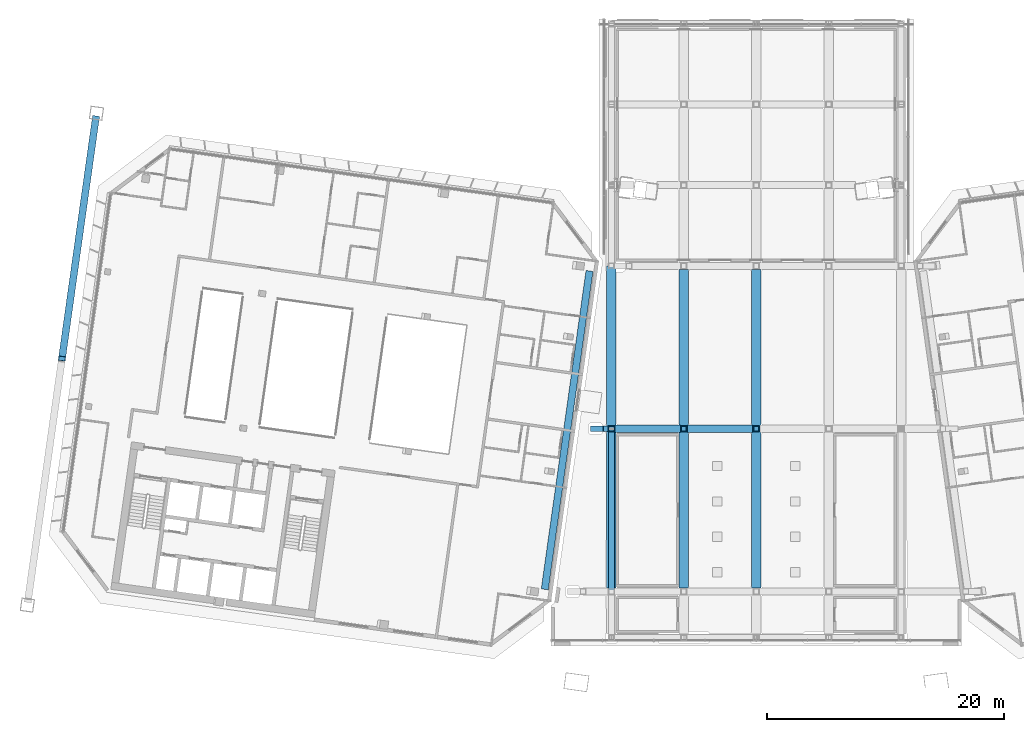
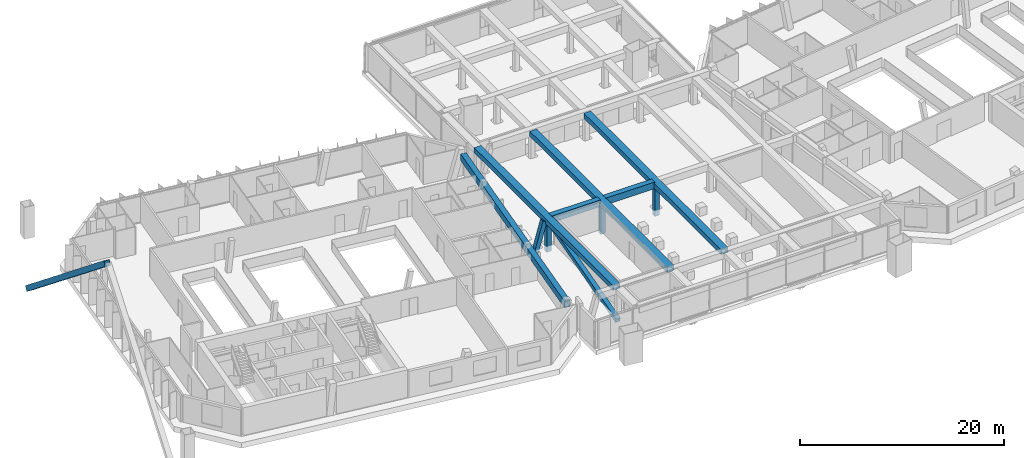
# One storey, part 4 of 28: 11 members, 1 beam.
"""IFC4 building model written with IfcOpenShell, lengths in metres."""

from ifc_helpers import new_model, si_unit, direction, frame, origin, origin_2d, place, context, subcontext, project, spatial, hollow_rectangle, extrude, material, material_profile, profile_set, type_object, element, save


model = new_model("IFC4")

# Units and contexts
model_context = context("Model", 3, precision=1e-05, world=origin(), true_north=direction((0.0, 1.0)))
body_context = subcontext(model_context, "Body", "Model", "MODEL_VIEW")
ifc_project = project(units=[si_unit("LENGTHUNIT", "METRE"), si_unit("AREAUNIT", "SQUARE_METRE"), si_unit("VOLUMEUNIT", "CUBIC_METRE"), si_unit("PLANEANGLEUNIT", "RADIAN"), si_unit("MASSUNIT", "GRAM", prefix="KILO")], contexts=[model_context])

# Site, building, storey
site_placement = place(None, origin())
site = spatial("IfcSite", under=ifc_project, at=site_placement, CompositionType="ELEMENT")
building_placement = place(site_placement, origin())
building = spatial("IfcBuilding", under=site, at=building_placement, Name="Mirante Cascada Hotel Towers", CompositionType="ELEMENT")
storey_placement = place(building_placement, frame((0.0, 0.0, 262.2)))
storey = spatial("IfcBuildingStorey", under=building, at=storey_placement, Name="L63", CompositionType="ELEMENT", Elevation=262.2)

# Beam
ifc_material_1 = material(Name="Steel ASTM A572 Gr 50", Category="steel")
ifc_material_profile_1 = material_profile(ifc_material_1, hollow_rectangle(XDim=0.6, YDim=0.8, WallThickness=0.04, at=origin_2d()), Name="Box beam 800x600x40 ASTM A572 Gr 50")
ifc_profile_set_1 = profile_set([ifc_material_profile_1], Name="Steel ASTM A572 Gr 50")
beam_type = type_object("IfcBeamType", Name="Box beam 800x600x40 ASTM A572 Gr 50", PredefinedType="BEAM", material=ifc_profile_set_1)
beam_placement = place(storey_placement, frame((-17.8872, -17.4309, 2.9), z_axis=(0.139173, 0.9902681, 0.0), x_axis=(-0.9902681, 0.139173, 0.0)))
element("IfcBeam", 1, at=beam_placement, inside=storey, type_object=beam_type, Name="Deck end beam T1 L64", PredefinedType="BEAM", context=body_context, shape_type="SweptSolid", body=[
    extrude(hollow_rectangle(XDim=0.6, YDim=0.8, WallThickness=0.04, at=origin_2d()), origin(), (0.0, 0.0, 1.0), 27.1899),
])

# Members
ifc_material_2 = material(Name="Steel ASTM A572 Gr 50", Category="steel")
ifc_material_profile_2 = material_profile(ifc_material_2, hollow_rectangle(XDim=0.6, YDim=0.6, WallThickness=0.028, at=origin_2d()), Name="Box brace 600x600x28 ASTM A572 Gr 50")
ifc_profile_set_2 = profile_set([ifc_material_profile_2], Name="Steel ASTM A572 Gr 50")
member_type_1 = type_object("IfcMemberType", Name="Box brace 600x600x28 ASTM A572 Gr 50", PredefinedType="BRACE", material=ifc_profile_set_2)
member_1_placement = place(storey_placement, frame((-55.8527, 22.4223, -6.0485), z_axis=(-0.1089729, -0.7753965, 0.6220009), x_axis=(0.9902684, -0.1391707, 0.0)))
element("IfcMember", 2, at=member_1_placement, inside=storey, type_object=member_type_1, Name="brace T1 L63 2", PredefinedType="BRACE", context=body_context, shape_type="SweptSolid", body=[
    extrude(hollow_rectangle(XDim=0.6, YDim=0.6, WallThickness=0.028, at=origin_2d()), origin(), (0.0, 0.0, 1.0), 26.2276),
])
ifc_material_3 = material(Name="Steel ASTM A572 Gr 50", Category="steel")
ifc_material_profile_3 = material_profile(ifc_material_3, hollow_rectangle(XDim=0.6, YDim=0.8, WallThickness=0.04, at=origin_2d()), Name="Box chord 800x600x40 ASTM A572 Gr 50")
ifc_profile_set_3 = profile_set([ifc_material_profile_3], Name="Steel ASTM A572 Gr 50")
member_type_2 = type_object("IfcMemberType", Name="Box chord 800x600x40 ASTM A572 Gr 50", PredefinedType="CHORD", material=ifc_profile_set_3)
member_2_placement = place(storey_placement, frame((-12.2514, -17.3153, 2.9), z_axis=(0.0, 1.0, 0.0), x_axis=(0.0, 0.0, 1.0)))
element("IfcMember", 3, at=member_2_placement, inside=storey, type_object=member_type_2, Name="dchord sky park L64 2", PredefinedType="CHORD", context=body_context, shape_type="SweptSolid", body=[
    extrude(hollow_rectangle(XDim=0.6, YDim=0.8, WallThickness=0.04, at=origin_2d()), origin(), (0.0, 0.0, 1.0), 27.2295),
])
for number, where, z_axis, x_axis, name in (
    (4, (-6.1257, -17.3153, 2.9), (0.0, 1.0, 0.0), (0.0, 0.0, 1.0), "dchord sky park L64 6"),
    (5, (0.0, -17.3153, 2.9), (0.0, 1.0, 0.0), (0.0, 0.0, 1.0), "dchord sky park L64 10"),
):
    element("IfcMember", number, at=place(storey_placement, frame(where, z_axis=z_axis, x_axis=x_axis)), inside=storey, type_object=member_type_2, Name=name, PredefinedType="CHORD", context=body_context, shape_type="SweptSolid", body=[
        extrude(hollow_rectangle(XDim=0.6, YDim=0.8, WallThickness=0.04, at=origin_2d()), origin(), (0.0, 0.0, 1.0), 26.9295),
    ])
for number, where, z_axis, x_axis, name in (
    (6, (-11.9514, -3.8505, 2.9), (1.0, 0.0, 0.0), (0.0, 1.0, 0.0), "dchord sky park L64 22"),
    (7, (-5.8257, -3.8505, 2.9), (1.0, 0.0, 0.0), (0.0, 1.0, 0.0), "dchord sky park L64 23"),
):
    element("IfcMember", number, at=place(storey_placement, frame(where, z_axis=z_axis, x_axis=x_axis)), inside=storey, type_object=member_type_2, Name=name, PredefinedType="CHORD", context=body_context, shape_type="SweptSolid", body=[
        extrude(hollow_rectangle(XDim=0.6, YDim=0.8, WallThickness=0.04, at=origin_2d()), origin(), (0.0, 0.0, 1.0), 5.5257),
    ])
ifc_material_4 = material(Name="Steel ASTM A572 Gr 50", Category="steel")
ifc_material_profile_4 = material_profile(ifc_material_4, hollow_rectangle(XDim=0.5, YDim=0.5, WallThickness=0.03, at=origin_2d()), Name="Box diagonal 500x500x30 ASTM A572 Gr 50")
ifc_profile_set_4 = profile_set([ifc_material_profile_4], Name="Steel ASTM A572 Gr 50")
member_type_3 = type_object("IfcMemberType", Name="Box diagonal 500x500x30 ASTM A572 Gr 50", PredefinedType="BRACE", material=ifc_profile_set_4)
member_3_placement = place(storey_placement, frame((-12.2514, -17.6153, -0.9), z_axis=(0.0, 0.9639421, 0.2661121), x_axis=(-1.0, 0.0, 0.0)))
element("IfcMember", 8, at=member_3_placement, inside=storey, type_object=member_type_3, Name="ddiag sky park L63 2", PredefinedType="BRACE", context=body_context, shape_type="SweptSolid", body=[
    extrude(hollow_rectangle(XDim=0.5, YDim=0.5, WallThickness=0.03, at=origin_2d()), origin(), (0.0, 0.0, 1.0), 14.2797),
])
ifc_material_5 = material(Name="Steel ASTM A572 Gr 50", Category="steel")
ifc_material_profile_5 = material_profile(ifc_material_5, hollow_rectangle(XDim=0.5, YDim=0.5, WallThickness=0.03, at=origin_2d()), Name="Box post 500x500x30 ASTM A572 Gr 50")
ifc_profile_set_5 = profile_set([ifc_material_profile_5], Name="Steel ASTM A572 Gr 50")
member_type_4 = type_object("IfcMemberType", Name="Box post 500x500x30 ASTM A572 Gr 50", PredefinedType="POST", material=ifc_profile_set_5)
for number, where, z_axis, x_axis, name in (
    (9, (-12.2514, -3.8505, -0.9), (0.0, 0.0, 1.0), (1.0, 0.0, 0.0), "dpost sky park L63 3"),
    (10, (-6.1257, -3.8505, -0.9), (0.0, 0.0, 1.0), (1.0, 0.0, 0.0), "dpost sky park L63 10"),
    (11, (0.0, -3.8505, -0.9), (0.0, 0.0, 1.0), (1.0, 0.0, 0.0), "dpost sky park L63 17"),
):
    element("IfcMember", number, at=place(storey_placement, frame(where, z_axis=z_axis, x_axis=x_axis)), inside=storey, type_object=member_type_4, Name=name, PredefinedType="POST", context=body_context, shape_type="SweptSolid", body=[
        extrude(hollow_rectangle(XDim=0.5, YDim=0.5, WallThickness=0.03, at=origin_2d()), origin(), (0.0, 0.0, 1.0), 3.8),
    ])
member_4_placement = place(storey_placement, frame((-13.7878, -3.8505, -0.9), z_axis=(0.2742732, 0.0, 0.9616518), x_axis=(0.0, 1.0, 0.0)))
element("IfcMember", 12, at=member_4_placement, inside=storey, type_object=member_type_4, Name="dpost sky park L63 38", PredefinedType="POST", context=body_context, shape_type="SweptSolid", body=[
    extrude(hollow_rectangle(XDim=0.5, YDim=0.5, WallThickness=0.03, at=origin_2d()), origin(), (0.0, 0.0, 1.0), 3.9515),
])

save(model, "model.ifc")
